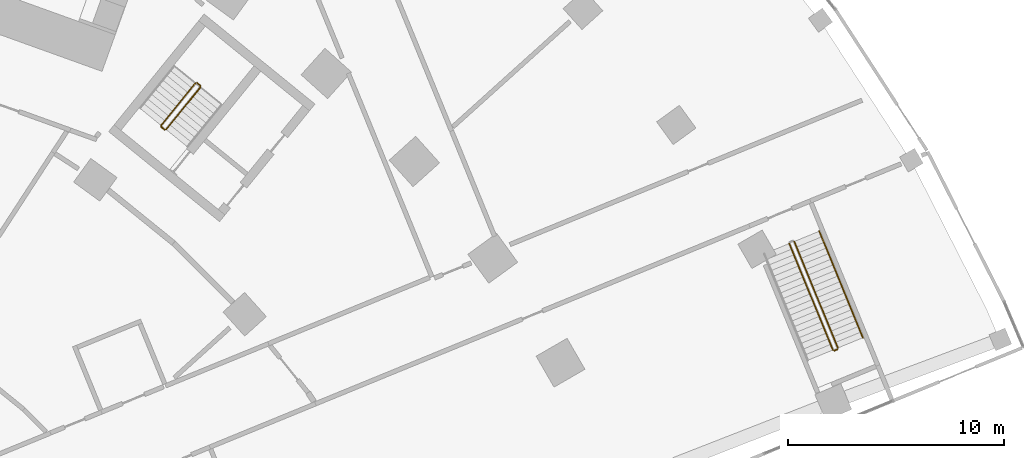
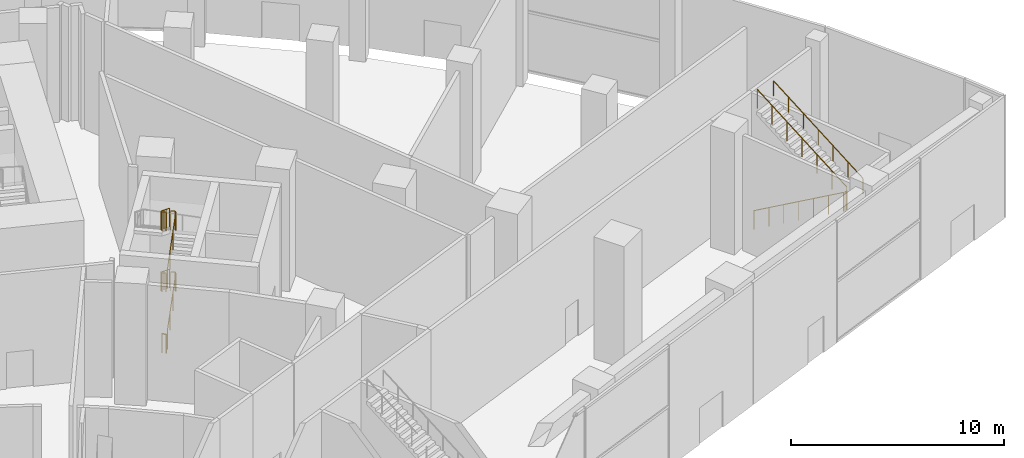
# One storey, part 58 of 60: 9 railings.
"""IFC4 building model written with IfcOpenShell, lengths in metres."""

from ifc_helpers import new_model, si_unit, direction, frame, origin, origin_2d, place, context, subcontext, project, spatial, circle, extrude, material, type_object, element, save


model = new_model("IFC4")

# Units and contexts
model_context = context("Model", 3, precision=1e-05, world=origin(), true_north=direction((0.0, 1.0)))
body_context = subcontext(model_context, "Body", "Model", "MODEL_VIEW")
ifc_project = project(units=[si_unit("LENGTHUNIT", "METRE"), si_unit("AREAUNIT", "SQUARE_METRE"), si_unit("VOLUMEUNIT", "CUBIC_METRE"), si_unit("PLANEANGLEUNIT", "RADIAN"), si_unit("MASSUNIT", "GRAM", prefix="KILO")], contexts=[model_context])

# Site, building, storey
site_placement = place(None, origin())
site = spatial("IfcSite", under=ifc_project, at=site_placement, CompositionType="ELEMENT")
building_placement = place(site_placement, origin())
building = spatial("IfcBuilding", under=site, at=building_placement, Name="Stone Belt Terrace Tower", CompositionType="ELEMENT")
storey_placement = place(building_placement, origin())
storey = spatial("IfcBuildingStorey", under=building, at=storey_placement, Name="L00", CompositionType="ELEMENT", Elevation=0.0)

# Railings
ifc_material_1 = material(Name="Steel balustrade", Category="steel")
railing_type_1 = type_object("IfcRailingType", Name="Podium stair guard", PredefinedType="GUARDRAIL", material=ifc_material_1)
railing_1_placement = place(storey_placement, frame((58.204345703125, 33.009521484375, 0.175048828125)))
element("IfcRailing", 1, at=railing_1_placement, inside=storey, type_object=railing_type_1, Name="L00 PS4 stair guard 1", PredefinedType="GUARDRAIL", context=body_context, shape_type="SweptSolid", body=[
    extrude(circle(Radius=0.02392578125, at=origin_2d()), frame((0.0, 0.0, 1.076171875), z_axis=(0.321598436884, -0.784655043911, 0.529991422062), x_axis=(0.925297482955, 0.379242096868, 0.0)), (0.0, 0.0, 1.0), 6.273681640625),
    extrude(circle(Radius=0.02099609375, at=origin_2d()), origin(), (0.0, 0.0, 1.0), 1.052001953125),
    extrude(circle(Radius=0.02099609375, at=origin_2d()), frame((0.336181640625, -0.8203125, 0.55419921875)), (0.0, 0.0, 1.0), 1.052001953125),
    extrude(circle(Radius=0.02099609375, at=origin_2d()), frame((0.672607421875, -1.640869140625, 1.1083984375)), (0.0, 0.0, 1.0), 1.052001953125),
    extrude(circle(Radius=0.02099609375, at=origin_2d()), frame((1.0087890625, -2.46142578125, 1.66259765625)), (0.0, 0.0, 1.0), 1.052001953125),
    extrude(circle(Radius=0.02099609375, at=origin_2d()), frame((1.344970703125, -3.28173828125, 2.216552734375)), (0.0, 0.0, 1.0), 1.052001953125),
    extrude(circle(Radius=0.02099609375, at=origin_2d()), frame((1.681396484375, -4.10205078125, 2.770751953125)), (0.0, 0.0, 1.0), 1.052001953125),
    extrude(circle(Radius=0.02099609375, at=origin_2d()), frame((2.017578125, -4.922607421875, 3.324951171875)), (0.0, 0.0, 1.0), 1.052001953125),
])
railing_2_placement = place(storey_placement, frame((60.287109375, 28.0595703125, 3.5)))
element("IfcRailing", 2, at=railing_2_placement, inside=storey, type_object=railing_type_1, Name="L00 PS4 stair guard 2", PredefinedType="GUARDRAIL", context=body_context, shape_type="SweptSolid", body=[
    extrude(circle(Radius=0.02392578125, at=origin_2d()), frame((0.0, 0.0, 1.076171875), z_axis=(0.925417366351, 0.378949466362, 0.0), x_axis=(-0.378949466362, 0.925417366351, 0.0)), (0.0, 0.0, 1.0), 0.150146484375),
    extrude(circle(Radius=0.02099609375, at=origin_2d()), origin(), (0.0, 0.0, 1.0), 1.052001953125),
    extrude(circle(Radius=0.02099609375, at=origin_2d()), frame((0.138916015625, 0.056884765625, 0.0)), (0.0, 0.0, 1.0), 1.052001953125),
])
railing_3_placement = place(storey_placement, frame((60.453369140625, 28.181640625, 3.675048828125)))
element("IfcRailing", 3, at=railing_3_placement, inside=storey, type_object=railing_type_1, Name="L00 PS4 stair guard 3", PredefinedType="GUARDRAIL", context=body_context, shape_type="SweptSolid", body=[
    extrude(circle(Radius=0.02392578125, at=origin_2d()), frame((0.0, 0.0, 1.076171875), z_axis=(-0.321598436884, 0.784655043911, 0.529991422062), x_axis=(-0.925297482955, -0.379242096868, 0.0)), (0.0, 0.0, 1.0), 6.273681640625),
    extrude(circle(Radius=0.02099609375, at=origin_2d()), origin(), (0.0, 0.0, 1.0), 1.052001953125),
    extrude(circle(Radius=0.02099609375, at=origin_2d()), frame((-0.336181640625, 0.8203125, 0.55419921875)), (0.0, 0.0, 1.0), 1.052001953125),
    extrude(circle(Radius=0.02099609375, at=origin_2d()), frame((-0.672607421875, 1.640869140625, 1.1083984375)), (0.0, 0.0, 1.0), 1.052001953125),
    extrude(circle(Radius=0.02099609375, at=origin_2d()), frame((-1.0087890625, 2.46142578125, 1.66259765625)), (0.0, 0.0, 1.0), 1.052001953125),
    extrude(circle(Radius=0.02099609375, at=origin_2d()), frame((-1.344970703125, 3.28173828125, 2.216552734375)), (0.0, 0.0, 1.0), 1.052001953125),
    extrude(circle(Radius=0.02099609375, at=origin_2d()), frame((-1.681396484375, 4.10205078125, 2.770751953125)), (0.0, 0.0, 1.0), 1.052001953125),
    extrude(circle(Radius=0.02099609375, at=origin_2d()), frame((-2.017578125, 4.922607421875, 3.324951171875)), (0.0, 0.0, 1.0), 1.052001953125),
])
ifc_material_2 = material(Name="Stainless steel handrail", Category="steel")
railing_type_2 = type_object("IfcRailingType", Name="Podium stair handrail", PredefinedType="HANDRAIL", material=ifc_material_2)
railing_4_placement = place(storey_placement, frame((61.60986328125, 28.65576171875, 3.675048828125)))
element("IfcRailing", 4, at=railing_4_placement, inside=storey, type_object=railing_type_2, Name="L00 PS4 stair handrail 2", PredefinedType="HANDRAIL", context=body_context, shape_type="SweptSolid", body=[
    extrude(circle(Radius=0.02392578125, at=origin_2d()), frame((0.0, 0.0, 0.8759765625), z_axis=(-0.321598436884, 0.784655043911, 0.529991422062), x_axis=(-0.925297482955, -0.379242096868, 0.0)), (0.0, 0.0, 1.0), 6.273681640625),
    extrude(circle(Radius=0.02099609375, at=origin_2d()), origin(), (0.0, 0.0, 1.0), 0.851806640625),
    extrude(circle(Radius=0.02099609375, at=origin_2d()), frame((-0.336181640625, 0.8203125, 0.55419921875)), (0.0, 0.0, 1.0), 0.851806640625),
    extrude(circle(Radius=0.02099609375, at=origin_2d()), frame((-0.672607421875, 1.640869140625, 1.1083984375)), (0.0, 0.0, 1.0), 0.851806640625),
    extrude(circle(Radius=0.02099609375, at=origin_2d()), frame((-1.0087890625, 2.46142578125, 1.66259765625)), (0.0, 0.0, 1.0), 0.851806640625),
    extrude(circle(Radius=0.02099609375, at=origin_2d()), frame((-1.344970703125, 3.28173828125, 2.216552734375)), (0.0, 0.0, 1.0), 0.851806640625),
    extrude(circle(Radius=0.02099609375, at=origin_2d()), frame((-1.681396484375, 4.10205078125, 2.770751953125)), (0.0, 0.0, 1.0), 0.851806640625),
    extrude(circle(Radius=0.02099609375, at=origin_2d()), frame((-2.017578125, 4.922607421875, 3.324951171875)), (0.0, 0.0, 1.0), 0.851806640625),
])
ifc_material_3 = material(Name="Structural steel C345", Category="steel")
railing_type_3 = type_object("IfcRailingType", Name="Stair guard 1100", PredefinedType="GUARDRAIL", material=ifc_material_3)
railing_5_placement = place(storey_placement, frame((29.39794921875, 38.281982421875, 0.175048828125)))
element("IfcRailing", 5, at=railing_5_placement, inside=storey, type_object=railing_type_3, Name="L00 ST3B stair guard 1", PredefinedType="GUARDRAIL", context=body_context, shape_type="SweptSolid", body=[
    extrude(circle(Radius=0.02392578125, at=origin_2d()), frame((0.0, 0.0, 1.076171875), z_axis=(0.534428608749, 0.658402900925, 0.529992152965), x_axis=(-0.776416184284, 0.630220523929, 0.0)), (0.0, 0.0, 1.0), 2.9716796875),
    extrude(circle(Radius=0.02392578125, at=origin_2d()), frame((1.588134765625, 1.95654296875, 2.65087890625), z_axis=(-0.103606084259, 0.994618408891, 0.0), x_axis=(-0.994618408891, -0.103606084259, 0.0)), (0.0, 0.0, 1.0), 0.07080078125),
    extrude(circle(Radius=0.02392578125, at=origin_2d()), frame((1.580810546875, 2.02685546875, 2.65087890625), z_axis=(-0.776561986372, 0.630040856868, 0.0), x_axis=(-0.630040856868, -0.776561986372, 0.0)), (0.0, 0.0, 1.0), 0.199951171875),
    extrude(circle(Radius=0.02099609375, at=origin_2d()), origin(), (0.0, 0.0, 1.0), 1.052001953125),
    extrude(circle(Radius=0.02099609375, at=origin_2d()), frame((0.529296875, 0.652099609375, 0.52490234375)), (0.0, 0.0, 1.0), 1.052001953125),
    extrude(circle(Radius=0.02099609375, at=origin_2d()), frame((1.058837890625, 1.304443359375, 1.050048828125)), (0.0, 0.0, 1.0), 1.052001953125),
    extrude(circle(Radius=0.02099609375, at=origin_2d()), frame((1.588134765625, 1.95654296875, 1.574951171875)), (0.0, 0.0, 1.0), 1.052001953125),
    extrude(circle(Radius=0.02099609375, at=origin_2d()), frame((1.580810546875, 2.02685546875, 1.574951171875)), (0.0, 0.0, 1.0), 1.052001953125),
    extrude(circle(Radius=0.02099609375, at=origin_2d()), frame((1.425537109375, 2.15283203125, 1.574951171875)), (0.0, 0.0, 1.0), 1.052001953125),
])
railing_6_placement = place(storey_placement, frame((30.753173828125, 40.427490234375, 1.925048828125)))
element("IfcRailing", 6, at=railing_6_placement, inside=storey, type_object=railing_type_3, Name="L00 ST3B stair guard 2", PredefinedType="GUARDRAIL", context=body_context, shape_type="SweptSolid", body=[
    extrude(circle(Radius=0.02392578125, at=origin_2d()), frame((0.0, 0.0, 1.076171875), z_axis=(-0.534428608749, -0.658402900925, 0.529992152965), x_axis=(0.776416184284, -0.630220523929, 0.0)), (0.0, 0.0, 1.0), 2.9716796875),
    extrude(circle(Radius=0.02392578125, at=origin_2d()), frame((-1.588134765625, -1.95654296875, 2.65087890625), z_axis=(0.103606084259, -0.994618408891, 0.0), x_axis=(0.994618408891, 0.103606084259, 0.0)), (0.0, 0.0, 1.0), 0.07080078125),
    extrude(circle(Radius=0.02392578125, at=origin_2d()), frame((-1.580810546875, -2.02685546875, 2.65087890625), z_axis=(0.776561986372, -0.630040856868, 0.0), x_axis=(0.630040856868, 0.776561986372, 0.0)), (0.0, 0.0, 1.0), 0.199951171875),
    extrude(circle(Radius=0.02099609375, at=origin_2d()), origin(), (0.0, 0.0, 1.0), 1.052001953125),
    extrude(circle(Radius=0.02099609375, at=origin_2d()), frame((-0.529296875, -0.652099609375, 0.52490234375)), (0.0, 0.0, 1.0), 1.052001953125),
    extrude(circle(Radius=0.02099609375, at=origin_2d()), frame((-1.058837890625, -1.304443359375, 1.050048828125)), (0.0, 0.0, 1.0), 1.052001953125),
    extrude(circle(Radius=0.02099609375, at=origin_2d()), frame((-1.588134765625, -1.95654296875, 1.574951171875)), (0.0, 0.0, 1.0), 1.052001953125),
    extrude(circle(Radius=0.02099609375, at=origin_2d()), frame((-1.580810546875, -2.02685546875, 1.574951171875)), (0.0, 0.0, 1.0), 1.052001953125),
    extrude(circle(Radius=0.02099609375, at=origin_2d()), frame((-1.425537109375, -2.15283203125, 1.574951171875)), (0.0, 0.0, 1.0), 1.052001953125),
])
railing_7_placement = place(storey_placement, frame((29.39794921875, 38.281982421875, 3.675048828125)))
element("IfcRailing", 7, at=railing_7_placement, inside=storey, type_object=railing_type_3, Name="L00 ST3B stair guard 3", PredefinedType="GUARDRAIL", context=body_context, shape_type="SweptSolid", body=[
    extrude(circle(Radius=0.02392578125, at=origin_2d()), frame((0.0, 0.0, 1.076171875), z_axis=(0.534428608749, 0.658402900925, 0.529992152965), x_axis=(-0.776416184284, 0.630220523929, 0.0)), (0.0, 0.0, 1.0), 2.9716796875),
    extrude(circle(Radius=0.02392578125, at=origin_2d()), frame((1.588134765625, 1.95654296875, 2.65087890625), z_axis=(-0.103606084259, 0.994618408891, 0.0), x_axis=(-0.994618408891, -0.103606084259, 0.0)), (0.0, 0.0, 1.0), 0.07080078125),
    extrude(circle(Radius=0.02392578125, at=origin_2d()), frame((1.580810546875, 2.02685546875, 2.65087890625), z_axis=(-0.776561986372, 0.630040856868, 0.0), x_axis=(-0.630040856868, -0.776561986372, 0.0)), (0.0, 0.0, 1.0), 0.199951171875),
    extrude(circle(Radius=0.02099609375, at=origin_2d()), origin(), (0.0, 0.0, 1.0), 1.052001953125),
    extrude(circle(Radius=0.02099609375, at=origin_2d()), frame((0.529296875, 0.652099609375, 0.52490234375)), (0.0, 0.0, 1.0), 1.052001953125),
    extrude(circle(Radius=0.02099609375, at=origin_2d()), frame((1.058837890625, 1.304443359375, 1.050048828125)), (0.0, 0.0, 1.0), 1.052001953125),
    extrude(circle(Radius=0.02099609375, at=origin_2d()), frame((1.588134765625, 1.95654296875, 1.574951171875)), (0.0, 0.0, 1.0), 1.052001953125),
    extrude(circle(Radius=0.02099609375, at=origin_2d()), frame((1.580810546875, 2.02685546875, 1.574951171875)), (0.0, 0.0, 1.0), 1.052001953125),
    extrude(circle(Radius=0.02099609375, at=origin_2d()), frame((1.425537109375, 2.15283203125, 1.574951171875)), (0.0, 0.0, 1.0), 1.052001953125),
])
railing_8_placement = place(storey_placement, frame((30.753173828125, 40.427490234375, 5.425048828125)))
element("IfcRailing", 8, at=railing_8_placement, inside=storey, type_object=railing_type_3, Name="L00 ST3B stair guard 4", PredefinedType="GUARDRAIL", context=body_context, shape_type="SweptSolid", body=[
    extrude(circle(Radius=0.02392578125, at=origin_2d()), frame((0.0, 0.0, 1.076171875), z_axis=(-0.534428608749, -0.658402900925, 0.529992152965), x_axis=(0.776416184284, -0.630220523929, 0.0)), (0.0, 0.0, 1.0), 2.9716796875),
    extrude(circle(Radius=0.02392578125, at=origin_2d()), frame((-1.588134765625, -1.95654296875, 2.65087890625), z_axis=(0.103606084259, -0.994618408891, 0.0), x_axis=(0.994618408891, 0.103606084259, 0.0)), (0.0, 0.0, 1.0), 0.07080078125),
    extrude(circle(Radius=0.02392578125, at=origin_2d()), frame((-1.580810546875, -2.02685546875, 2.65087890625), z_axis=(0.776561986372, -0.630040856868, 0.0), x_axis=(0.630040856868, 0.776561986372, 0.0)), (0.0, 0.0, 1.0), 0.199951171875),
    extrude(circle(Radius=0.02099609375, at=origin_2d()), origin(), (0.0, 0.0, 1.0), 1.052001953125),
    extrude(circle(Radius=0.02099609375, at=origin_2d()), frame((-0.529296875, -0.652099609375, 0.52490234375)), (0.0, 0.0, 1.0), 1.052001953125),
    extrude(circle(Radius=0.02099609375, at=origin_2d()), frame((-1.058837890625, -1.304443359375, 1.050048828125)), (0.0, 0.0, 1.0), 1.052001953125),
    extrude(circle(Radius=0.02099609375, at=origin_2d()), frame((-1.588134765625, -1.95654296875, 1.574951171875)), (0.0, 0.0, 1.0), 1.052001953125),
    extrude(circle(Radius=0.02099609375, at=origin_2d()), frame((-1.580810546875, -2.02685546875, 1.574951171875)), (0.0, 0.0, 1.0), 1.052001953125),
    extrude(circle(Radius=0.02099609375, at=origin_2d()), frame((-1.425537109375, -2.15283203125, 1.574951171875)), (0.0, 0.0, 1.0), 1.052001953125),
])
railing_9_placement = place(storey_placement, frame((29.32763671875, 38.274658203125, 0.0)))
element("IfcRailing", 9, at=railing_9_placement, inside=storey, type_object=railing_type_3, Name="L00 ST3B stair guard 5", PredefinedType="GUARDRAIL", context=body_context, shape_type="SweptSolid", body=[
    extrude(circle(Radius=0.02392578125, at=origin_2d()), frame((0.0, 0.0, 1.076171875), z_axis=(-0.776561986372, 0.630040856868, 0.0), x_axis=(-0.630040856868, -0.776561986372, 0.0)), (0.0, 0.0, 1.0), 0.199951171875),
    extrude(circle(Radius=0.02099609375, at=origin_2d()), origin(), (0.0, 0.0, 1.0), 1.052001953125),
    extrude(circle(Radius=0.02099609375, at=origin_2d()), frame((-0.1552734375, 0.1259765625, 0.0)), (0.0, 0.0, 1.0), 1.052001953125),
])

save(model, "model.ifc")
